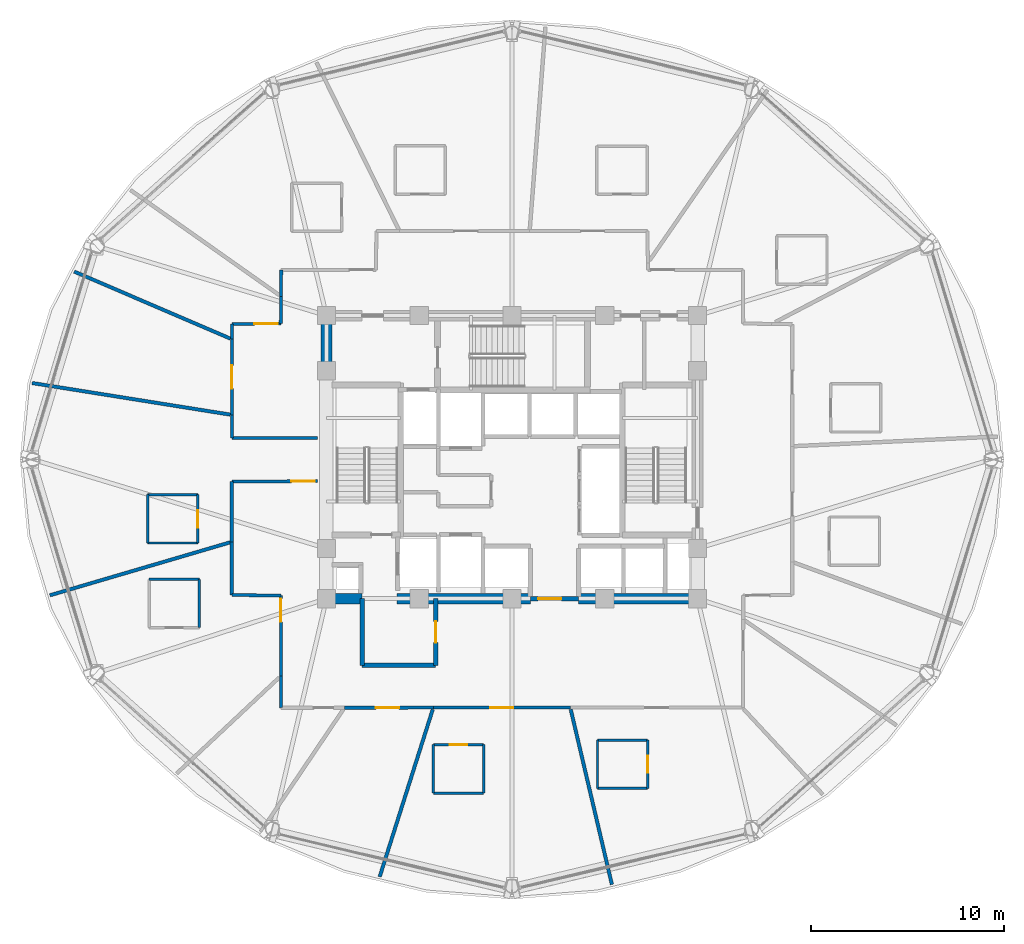
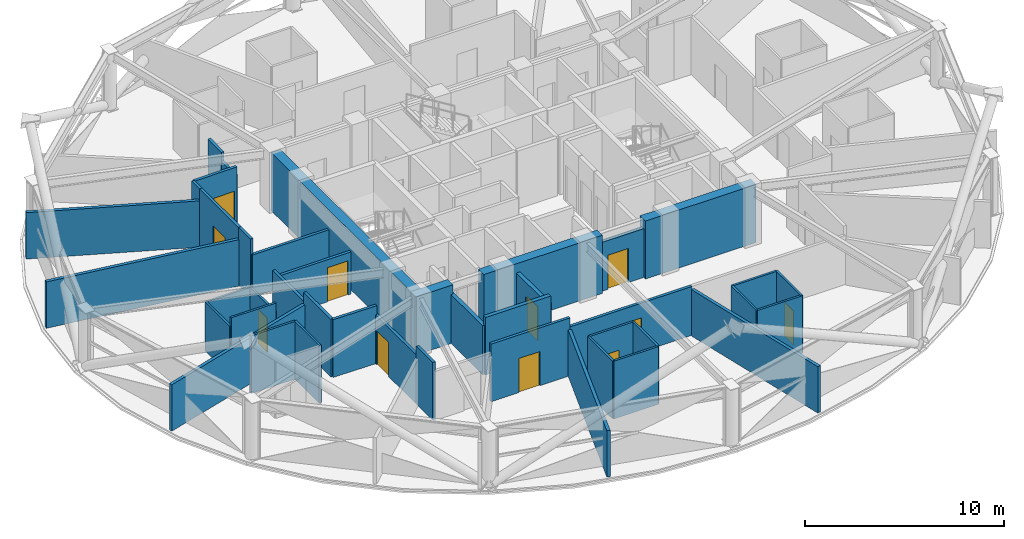
# One storey, part 22 of 29: 42 walls, 11 doors, 11 openings.
"""IFC4 building model written with IfcOpenShell, lengths in metres."""

from ifc_helpers import new_model, si_unit, direction, frame, frame_2d, origin, place, context, subcontext, project, spatial, rectangle, extrude, material, layer, layer_set, type_object, element, fill, save


model = new_model("IFC4")

# Units and contexts
model_context = context("Model", 3, precision=1e-05, world=origin(), true_north=direction((0.0, 1.0)))
body_context = subcontext(model_context, "Body", "Model", "MODEL_VIEW")
ifc_project = project(units=[si_unit("LENGTHUNIT", "METRE"), si_unit("AREAUNIT", "SQUARE_METRE"), si_unit("VOLUMEUNIT", "CUBIC_METRE"), si_unit("PLANEANGLEUNIT", "RADIAN"), si_unit("MASSUNIT", "GRAM", prefix="KILO")], contexts=[model_context])

# Site, building, storey
site_placement = place(None, origin())
site = spatial("IfcSite", under=ifc_project, at=site_placement, CompositionType="ELEMENT")
building_placement = place(site_placement, origin())
building = spatial("IfcBuilding", under=site, at=building_placement, Name="Vantalir Tower", CompositionType="ELEMENT")
storey_placement = place(building_placement, frame((0.0, 0.0, 149.699951171875)))
storey = spatial("IfcBuildingStorey", under=building, at=storey_placement, Name="L37", CompositionType="ELEMENT", Elevation=149.699951171875)

# Walls
ifc_material_1 = material(Name="Moisture-resistant en-suite partition", Category="gypsum")
ifc_layer_1 = layer(ifc_material_1, 0.125)
ifc_layer_set_1 = layer_set([ifc_layer_1], Name="Moisture-resistant en-suite partition")
wall_type_1 = type_object("IfcWallType", Name="WL-BATH-125", PredefinedType="PARTITIONING", material=ifc_layer_set_1)
wall_1_placement = place(storey_placement, frame((12.64892578125, 20.680908203125, 0.0), z_axis=(0.0, 0.0, 1.0), x_axis=(1.0, 0.0, 0.0)))
element("IfcWall", 1, at=wall_1_placement, inside=storey, type_object=wall_type_1, Name="L37 En-suite 08 South Wall", PredefinedType="PARTITIONING", context=body_context, shape_type="SweptSolid", body=[
    extrude(rectangle(XDim=2.60009765625, YDim=0.125, at=frame_2d((1.300048828125, 0.0))), origin(), (0.0, 0.0, 1.0), 3.550048828125),
])
wall_2_placement = place(storey_placement, frame((12.64892578125, 23.180908203125, 0.0), z_axis=(0.0, 0.0, 1.0), x_axis=(1.0, 0.0, 0.0)))
element("IfcWall", 2, at=wall_2_placement, inside=storey, type_object=wall_type_1, Name="L37 En-suite 08 North Wall", PredefinedType="PARTITIONING", context=body_context, shape_type="SweptSolid", body=[
    extrude(rectangle(XDim=2.60009765625, YDim=0.125, at=frame_2d((1.300048828125, 0.0))), origin(), (0.0, 0.0, 1.0), 3.006103515625),
])
wall_3_placement = place(storey_placement, frame((12.64892578125, 20.680908203125, 0.0), z_axis=(0.0, 0.0, 1.0), x_axis=(0.0, 1.0, 0.0)))
element("IfcWall", 3, at=wall_3_placement, inside=storey, type_object=wall_type_1, Name="L37 En-suite 08 West Wall", PredefinedType="PARTITIONING", context=body_context, shape_type="SweptSolid", body=[
    extrude(rectangle(XDim=2.5, YDim=0.125, at=frame_2d((1.25, 0.0))), origin(), (0.0, 0.0, 1.0), 3.006103515625),
])

# Wall, opening, door
wall_4_placement = place(storey_placement, frame((15.2490234375, 20.680908203125, 0.0), z_axis=(0.0, 0.0, 1.0), x_axis=(0.0, 1.0, 0.0)))
wall_4 = element("IfcWall", 4, at=wall_4_placement, inside=storey, type_object=wall_type_1, Name="L37 En-suite 08 East Wall", PredefinedType="PARTITIONING", context=body_context, shape_type="SweptSolid", body=[
    extrude(rectangle(XDim=2.5, YDim=0.125, at=frame_2d((1.25, 0.0))), origin(), (0.0, 0.0, 1.0), 3.006103515625),
])
opening_1_placement = place(wall_4_placement, frame((0.800048828125, 0.0, 0.0)))
opening_1 = element("IfcOpeningElement", 5, at=opening_1_placement, cuts=wall_4, Name="Opening D-WC", PredefinedType="OPENING", context=body_context, shape_type="SweptSolid", body=[
    extrude(rectangle(XDim=0.89990234375, YDim=2.10009765625, at=frame_2d((0.449951171875, 1.050048828125))), frame((0.0, 0.072509765625, 0.0), z_axis=(0.0, -1.0, 0.0), x_axis=(1.0, 0.0, 0.0)), (0.0, 0.0, 1.0), 0.14501953125),
])
ifc_material_2 = material(Name="Moisture-resistant hardwood door", Category="wood")
door_type_1 = type_object("IfcDoorType", Name="DR-ENSUITE-900", OperationType="NOTDEFINED", PredefinedType="DOOR", material=ifc_material_2)
door_1_placement = place(opening_1_placement, origin())
door_1 = element("IfcDoor", 6, at=door_1_placement, inside=storey, type_object=door_type_1, Name="L37 En-suite 08 Door", OperationType="SINGLE_SWING_RIGHT", OverallHeight=2.10009765625, OverallWidth=0.89990234375, PredefinedType="DOOR", context=body_context, shape_type="SweptSolid", body=[
    extrude(rectangle(XDim=0.89990234375, YDim=2.10009765625, at=frame_2d((0.449951171875, 1.050048828125))), frame((0.0, 0.02490234375, 0.0), z_axis=(0.0, -1.0, 0.0), x_axis=(1.0, 0.0, 0.0)), (0.0, 0.0, 1.0), 0.050048828125),
])
fill(opening_1, door_1)

# Walls
wall_5_placement = place(storey_placement, frame((12.72607421875, 18.804931640625, 0.0), z_axis=(0.0, 0.0, 1.0), x_axis=(1.0, 0.0, 0.0)))
element("IfcWall", 7, at=wall_5_placement, inside=storey, type_object=wall_type_1, Name="L37 En-suite 09 North Wall", PredefinedType="PARTITIONING", context=body_context, shape_type="SweptSolid", body=[
    extrude(rectangle(XDim=2.599853515625, YDim=0.125, at=frame_2d((1.2998046875, 0.0))), origin(), (0.0, 0.0, 1.0), 3.550048828125),
])
wall_6_placement = place(storey_placement, frame((15.325927734375, 16.304931640625, 0.0), z_axis=(0.0, 0.0, 1.0), x_axis=(0.0, 1.0, 0.0)))
element("IfcWall", 8, at=wall_6_placement, inside=storey, type_object=wall_type_1, Name="L37 En-suite 09 East Wall", PredefinedType="PARTITIONING", context=body_context, shape_type="SweptSolid", body=[
    extrude(rectangle(XDim=2.5, YDim=0.125, at=frame_2d((1.25, 0.0))), origin(), (0.0, 0.0, 1.0), 3.550048828125),
])
wall_7_placement = place(storey_placement, frame((27.430908203125, 7.742919921875, 0.0), z_axis=(0.0, 0.0, 1.0), x_axis=(1.0, 0.0, 0.0)))
element("IfcWall", 9, at=wall_7_placement, inside=storey, type_object=wall_type_1, Name="L37 En-suite 12 South Wall", PredefinedType="PARTITIONING", context=body_context, shape_type="SweptSolid", body=[
    extrude(rectangle(XDim=2.60009765625, YDim=0.125, at=frame_2d((1.300048828125, 0.0))), origin(), (0.0, 0.0, 1.0), 3.550048828125),
])

# Wall, opening, door
wall_8_placement = place(storey_placement, frame((27.430908203125, 10.242919921875, 0.0), z_axis=(0.0, 0.0, 1.0), x_axis=(1.0, 0.0, 0.0)))
wall_8 = element("IfcWall", 10, at=wall_8_placement, inside=storey, type_object=wall_type_1, Name="L37 En-suite 12 North Wall", PredefinedType="PARTITIONING", context=body_context, shape_type="SweptSolid", body=[
    extrude(rectangle(XDim=2.60009765625, YDim=0.125, at=frame_2d((1.300048828125, 0.0))), origin(), (0.0, 0.0, 1.0), 3.550048828125),
])
opening_2_placement = place(wall_8_placement, frame((0.85009765625, 0.0, 0.0)))
opening_2 = element("IfcOpeningElement", 11, at=opening_2_placement, cuts=wall_8, Name="Opening D-WC", PredefinedType="OPENING", context=body_context, shape_type="SweptSolid", body=[
    extrude(rectangle(XDim=0.89990234375, YDim=2.10009765625, at=frame_2d((0.449951171875, 1.050048828125))), frame((0.0, 0.072509765625, 0.0), z_axis=(0.0, -1.0, 0.0), x_axis=(1.0, 0.0, 0.0)), (0.0, 0.0, 1.0), 0.14501953125),
])
door_2_placement = place(opening_2_placement, frame((0.89990234375, 0.0, 0.0), z_axis=(0.0, 0.0, 1.0), x_axis=(-1.0, 0.0, 0.0)))
door_2 = element("IfcDoor", 12, at=door_2_placement, inside=storey, type_object=door_type_1, Name="L37 En-suite 12 Door", OperationType="SINGLE_SWING_RIGHT", OverallHeight=2.10009765625, OverallWidth=0.89990234375, PredefinedType="DOOR", context=body_context, shape_type="SweptSolid", body=[
    extrude(rectangle(XDim=0.89990234375, YDim=2.10009765625, at=frame_2d((0.449951171875, 1.050048828125))), frame((0.0, 0.02490234375, 0.0), z_axis=(0.0, -1.0, 0.0), x_axis=(1.0, 0.0, 0.0)), (0.0, 0.0, 1.0), 0.050048828125),
])
fill(opening_2, door_2)

# Walls
for number, where, z_axis, x_axis, name in (
    (13, (27.430908203125, 7.742919921875, 0.0), (0.0, 0.0, 1.0), (0.0, 1.0, 0.0), "L37 En-suite 12 West Wall"),
    (14, (30.031005859375, 7.742919921875, 0.0), (0.0, 0.0, 1.0), (0.0, 1.0, 0.0), "L37 En-suite 12 East Wall"),
):
    element("IfcWall", number, at=place(storey_placement, frame(where, z_axis=z_axis, x_axis=x_axis)), inside=storey, type_object=wall_type_1, Name=name, PredefinedType="PARTITIONING", context=body_context, shape_type="SweptSolid", body=[
        extrude(rectangle(XDim=2.5, YDim=0.125, at=frame_2d((1.25, 0.0))), origin(), (0.0, 0.0, 1.0), 3.550048828125),
    ])
for number, where, z_axis, x_axis, name in (
    (15, (35.923095703125, 7.98291015625, 0.0), (0.0, 0.0, 1.0), (1.0, 0.0, 0.0), "L37 En-suite 13 South Wall"),
    (16, (35.923095703125, 10.48291015625, 0.0), (0.0, 0.0, 1.0), (1.0, 0.0, 0.0), "L37 En-suite 13 North Wall"),
):
    element("IfcWall", number, at=place(storey_placement, frame(where, z_axis=z_axis, x_axis=x_axis)), inside=storey, type_object=wall_type_1, Name=name, PredefinedType="PARTITIONING", context=body_context, shape_type="SweptSolid", body=[
        extrude(rectangle(XDim=2.599853515625, YDim=0.125, at=frame_2d((1.2998046875, 0.0))), origin(), (0.0, 0.0, 1.0), 3.550048828125),
    ])
wall_9_placement = place(storey_placement, frame((35.923095703125, 7.98291015625, 0.0), z_axis=(0.0, 0.0, 1.0), x_axis=(0.0, 1.0, 0.0)))
element("IfcWall", 17, at=wall_9_placement, inside=storey, type_object=wall_type_1, Name="L37 En-suite 13 West Wall", PredefinedType="PARTITIONING", context=body_context, shape_type="SweptSolid", body=[
    extrude(rectangle(XDim=2.5, YDim=0.125, at=frame_2d((1.25, 0.0))), origin(), (0.0, 0.0, 1.0), 3.550048828125),
])

# Wall, opening, door
wall_10_placement = place(storey_placement, frame((38.52294921875, 7.98291015625, 0.0), z_axis=(0.0, 0.0, 1.0), x_axis=(0.0, 1.0, 0.0)))
wall_10 = element("IfcWall", 18, at=wall_10_placement, inside=storey, type_object=wall_type_1, Name="L37 En-suite 13 East Wall", PredefinedType="PARTITIONING", context=body_context, shape_type="SweptSolid", body=[
    extrude(rectangle(XDim=2.5, YDim=0.125, at=frame_2d((1.25, 0.0))), origin(), (0.0, 0.0, 1.0), 3.550048828125),
])
opening_3_placement = place(wall_10_placement, frame((0.800048828125, 0.0, 0.0)))
opening_3 = element("IfcOpeningElement", 19, at=opening_3_placement, cuts=wall_10, Name="Opening D-WC", PredefinedType="OPENING", context=body_context, shape_type="SweptSolid", body=[
    extrude(rectangle(XDim=0.89990234375, YDim=2.10009765625, at=frame_2d((0.449951171875, 1.050048828125))), frame((0.0, 0.072509765625, 0.0), z_axis=(0.0, -1.0, 0.0), x_axis=(1.0, 0.0, 0.0)), (0.0, 0.0, 1.0), 0.14501953125),
])
door_3_placement = place(opening_3_placement, origin())
door_3 = element("IfcDoor", 20, at=door_3_placement, inside=storey, type_object=door_type_1, Name="L37 En-suite 13 Door", OperationType="SINGLE_SWING_LEFT", OverallHeight=2.10009765625, OverallWidth=0.89990234375, PredefinedType="DOOR", context=body_context, shape_type="SweptSolid", body=[
    extrude(rectangle(XDim=0.89990234375, YDim=2.10009765625, at=frame_2d((0.449951171875, 1.050048828125))), frame((0.0, 0.02490234375, 0.0), z_axis=(0.0, -1.0, 0.0), x_axis=(1.0, 0.0, 0.0)), (0.0, 0.0, 1.0), 0.050048828125),
])
fill(opening_3, door_3)

# Walls
ifc_material_3 = material(Name="Concrete C60/75", Category="concrete")
ifc_layer_2 = layer(ifc_material_3, 0.550048828125)
ifc_layer_set_2 = layer_set([ifc_layer_2], Name="Concrete C60/75")
wall_type_2 = type_object("IfcWallType", Name="WL-CORE-550", PredefinedType="SHEAR", material=ifc_layer_set_2)
wall_11_placement = place(storey_placement, frame((21.625, 17.800048828125, 0.0), z_axis=(0.0, 0.0, 1.0), x_axis=(1.0, 0.0, 0.0)))
element("IfcWall", 21, at=wall_11_placement, inside=storey, type_object=wall_type_2, Name="L37 Core Shear Wall South-West", PredefinedType="SHEAR", context=body_context, shape_type="SweptSolid", body=[
    extrude(rectangle(XDim=2.125, YDim=0.550048828125, at=frame_2d((1.0625, 0.0))), origin(), (0.0, 0.0, 1.0), 3.570068359375),
])
wall_12_placement = place(storey_placement, frame((25.550048828125, 17.800048828125, 0.0), z_axis=(0.0, 0.0, 1.0), x_axis=(1.0, 0.0, 0.0)))
element("IfcWall", 22, at=wall_12_placement, inside=storey, type_object=wall_type_2, Name="L37 Core Shear Wall South-Mid", PredefinedType="SHEAR", context=body_context, shape_type="SweptSolid", body=[
    extrude(rectangle(XDim=6.89990234375, YDim=0.550048828125, at=frame_2d((3.449951171875, 0.0))), origin(), (0.0, 0.0, 1.0), 3.570068359375),
])
wall_13_placement = place(storey_placement, frame((34.949951171875, 17.800048828125, 0.0), z_axis=(0.0, 0.0, 1.0), x_axis=(1.0, 0.0, 0.0)))
element("IfcWall", 23, at=wall_13_placement, inside=storey, type_object=wall_type_2, Name="L37 Core Shear Wall South-East", PredefinedType="SHEAR", context=body_context, shape_type="SweptSolid", body=[
    extrude(rectangle(XDim=6.425048828125, YDim=0.550048828125, at=frame_2d((3.21240234375, 0.0))), origin(), (0.0, 0.0, 1.0), 3.570068359375),
])
wall_14_placement = place(storey_placement, frame((21.89990234375, 18.074951171875, 0.0), z_axis=(0.0, 0.0, 1.0), x_axis=(0.0, 1.0, 0.0)))
element("IfcWall", 24, at=wall_14_placement, inside=storey, type_object=wall_type_2, Name="L37 Core Shear Wall West", PredefinedType="SHEAR", context=body_context, shape_type="SweptSolid", body=[
    extrude(rectangle(XDim=14.10009765625, YDim=0.550048828125, at=frame_2d((7.050048828125, 0.0))), origin(), (0.0, 0.0, 1.0), 3.570068359375),
])
ifc_material_4 = material(Name="Fire-rated hotel corridor acoustic partition", Category="gypsum")
ifc_layer_3 = layer(ifc_material_4, 0.159912109375)
ifc_layer_set_3 = layer_set([ifc_layer_3], Name="Fire-rated hotel corridor acoustic partition")
wall_type_3 = type_object("IfcWallType", Name="WL-CORR-160", PredefinedType="PARTITIONING", material=ifc_layer_set_3)
wall_15_placement = place(storey_placement, frame((21.445068359375, 26.114990234375, 0.0), z_axis=(0.0, 0.0, 1.0), x_axis=(-0.999997454189, 0.002256460959, 0.0)))
element("IfcWall", 25, at=wall_15_placement, inside=storey, type_object=wall_type_3, Name="L37 Corridor Partition 01", PredefinedType="PARTITIONING", context=body_context, shape_type="SweptSolid", body=[
    extrude(rectangle(XDim=4.43603515625, YDim=0.159912109375, at=frame_2d((2.218017578125, 0.0))), origin(), (0.0, 0.0, 1.0), 2.594970703125),
])
wall_16_placement = place(storey_placement, frame((17.009033203125, 26.125, 0.0), z_axis=(0.0, 0.0, 1.0), x_axis=(-0.00082338383, 0.999999661019, 0.0)))
element("IfcWall", 26, at=wall_16_placement, inside=storey, type_object=wall_type_3, Name="L37 Corridor Partition 02", PredefinedType="PARTITIONING", context=body_context, shape_type="SweptSolid", body=[
    extrude(rectangle(XDim=1.18603515625, YDim=0.159912109375, at=frame_2d((0.593017578125, 0.0))), origin(), (0.0, 0.0, 1.0), 3.550048828125),
])

# Wall, opening, door
wall_17_placement = place(storey_placement, frame((17.008056640625, 27.31103515625, 0.0), z_axis=(0.0, 0.0, 1.0), x_axis=(-0.001309879116, 0.999999142108, 0.0)))
wall_17 = element("IfcWall", 27, at=wall_17_placement, inside=storey, type_object=wall_type_3, Name="L37 Corridor Partition 03", PredefinedType="PARTITIONING", context=body_context, shape_type="SweptSolid", body=[
    extrude(rectangle(XDim=3.9140625, YDim=0.159912109375, at=frame_2d((1.95703125, 0.0))), origin(), (0.0, 0.0, 1.0), 3.550048828125),
])
opening_4_placement = place(wall_17_placement, frame((1.35693359375, 0.0, 0.0)))
opening_4 = element("IfcOpeningElement", 28, at=opening_4_placement, cuts=wall_17, Name="Opening D-STE", PredefinedType="OPENING", context=body_context, shape_type="SweptSolid", body=[
    extrude(rectangle(XDim=1.199951171875, YDim=2.10009765625, at=frame_2d((0.60009765625, 1.050048828125))), frame((0.0, 0.08984375, 0.0), z_axis=(0.0, -1.0, 0.0), x_axis=(1.0, 0.0, 0.0)), (0.0, 0.0, 1.0), 0.179931640625),
])
ifc_material_5 = material(Name="Solid-core teak veneer suite entrance door", Category="wood")
door_type_2 = type_object("IfcDoorType", Name="DR-SUITE-ENTRY-1200", OperationType="NOTDEFINED", PredefinedType="DOOR", material=ifc_material_5)
door_4_placement = place(opening_4_placement, origin())
door_4 = element("IfcDoor", 29, at=door_4_placement, inside=storey, type_object=door_type_2, Name="L37 Club Reading Lounge 07 Door", OperationType="SINGLE_SWING_RIGHT", OverallHeight=2.10009765625, OverallWidth=1.199951171875, PredefinedType="DOOR", context=body_context, shape_type="SweptSolid", body=[
    extrude(rectangle(XDim=1.199951171875, YDim=2.10009765625, at=frame_2d((0.60009765625, 1.050048828125))), frame((0.0, 0.02490234375, 0.0), z_axis=(0.0, -1.0, 0.0), x_axis=(1.0, 0.0, 0.0)), (0.0, 0.0, 1.0), 0.050048828125),
])
fill(opening_4, door_4)

# Wall
wall_18_placement = place(storey_placement, frame((17.0029296875, 31.22509765625, 0.0), z_axis=(0.0, 0.0, 1.0), x_axis=(-0.001241078784, 0.999999229861, 0.0)))
element("IfcWall", 30, at=wall_18_placement, inside=storey, type_object=wall_type_3, Name="L37 Corridor Partition 04", PredefinedType="PARTITIONING", context=body_context, shape_type="SweptSolid", body=[
    extrude(rectangle(XDim=0.786865234375, YDim=0.159912109375, at=frame_2d((0.3935546875, 0.0))), origin(), (0.0, 0.0, 1.0), 3.550048828125),
])

# Wall, opening, door
wall_19_placement = place(storey_placement, frame((17.001953125, 32.011962890625, 0.0), z_axis=(0.0, 0.0, 1.0), x_axis=(0.999938574393, 0.011083656487, 0.0)))
wall_19 = element("IfcWall", 31, at=wall_19_placement, inside=storey, type_object=wall_type_3, Name="L37 Corridor Partition 05", PredefinedType="PARTITIONING", context=body_context, shape_type="SweptSolid", body=[
    extrude(rectangle(XDim=2.533203125, YDim=0.159912109375, at=frame_2d((1.2666015625, 0.0))), origin(), (0.0, 0.0, 1.0), 3.550048828125),
])
opening_5_placement = place(wall_19_placement, frame((1.173095703125, 0.0, 0.0)))
opening_5 = element("IfcOpeningElement", 32, at=opening_5_placement, cuts=wall_19, Name="Opening D-STE", PredefinedType="OPENING", context=body_context, shape_type="SweptSolid", body=[
    extrude(rectangle(XDim=1.199951171875, YDim=2.10009765625, at=frame_2d((0.60009765625, 1.050048828125))), frame((0.0, 0.08984375, 0.0), z_axis=(0.0, -1.0, 0.0), x_axis=(1.0, 0.0, 0.0)), (0.0, 0.0, 1.0), 0.179931640625),
])
door_5_placement = place(opening_5_placement, origin())
door_5 = element("IfcDoor", 33, at=door_5_placement, inside=storey, type_object=door_type_2, Name="L37 Executive Business Study 06 Door", OperationType="SINGLE_SWING_LEFT", OverallHeight=2.10009765625, OverallWidth=1.199951171875, PredefinedType="DOOR", context=body_context, shape_type="SweptSolid", body=[
    extrude(rectangle(XDim=1.199951171875, YDim=2.10009765625, at=frame_2d((0.60009765625, 1.050048828125))), frame((0.0, 0.02490234375, 0.0), z_axis=(0.0, -1.0, 0.0), x_axis=(1.0, 0.0, 0.0)), (0.0, 0.0, 1.0), 0.050048828125),
])
fill(opening_5, door_5)

# Walls
wall_20_placement = place(storey_placement, frame((19.534912109375, 32.0400390625, 0.0), z_axis=(0.0, 0.0, 1.0), x_axis=(0.009389257464, 0.999955919951, 0.0)))
element("IfcWall", 34, at=wall_20_placement, inside=storey, type_object=wall_type_3, Name="L37 Corridor Partition 06", PredefinedType="PARTITIONING", context=body_context, shape_type="SweptSolid", body=[
    extrude(rectangle(XDim=1.404052734375, YDim=0.159912109375, at=frame_2d((0.7021484375, 0.0))), origin(), (0.0, 0.0, 1.0), 3.006103515625),
])
wall_21_placement = place(storey_placement, frame((19.548095703125, 33.444091796875, 0.0), z_axis=(0.0, 0.0, 1.0), x_axis=(0.008744980606, 0.999961761926, 0.0)))
element("IfcWall", 35, at=wall_21_placement, inside=storey, type_object=wall_type_3, Name="L37 Corridor Partition 07", PredefinedType="PARTITIONING", context=body_context, shape_type="SweptSolid", body=[
    extrude(rectangle(XDim=1.367919921875, YDim=0.159912109375, at=frame_2d((0.68408203125, 0.0))), origin(), (0.0, 0.0, 1.0), 3.550048828125),
])

# Wall, opening, door
wall_22_placement = place(storey_placement, frame((34.51806640625, 12.1640625, 0.0), z_axis=(0.0, 0.0, 1.0), x_axis=(-0.999999828666, -0.000585379191, 0.0)))
wall_22 = element("IfcWall", 36, at=wall_22_placement, inside=storey, type_object=wall_type_3, Name="L37 Corridor Partition 26", PredefinedType="PARTITIONING", context=body_context, shape_type="SweptSolid", body=[
    extrude(rectangle(XDim=7.090087890625, YDim=0.159912109375, at=frame_2d((3.544921875, 0.0))), origin(), (0.0, 0.0, 1.0), 3.006103515625),
])
opening_6_placement = place(wall_22_placement, frame((2.945068359375, 0.0, 0.0)))
opening_6 = element("IfcOpeningElement", 37, at=opening_6_placement, cuts=wall_22, Name="Opening D-STE", PredefinedType="OPENING", context=body_context, shape_type="SweptSolid", body=[
    extrude(rectangle(XDim=1.199951171875, YDim=2.10009765625, at=frame_2d((0.60009765625, 1.050048828125))), frame((0.0, 0.08984375, 0.0), z_axis=(0.0, -1.0, 0.0), x_axis=(1.0, 0.0, 0.0)), (0.0, 0.0, 1.0), 0.179931640625),
])
door_6_placement = place(opening_6_placement, origin())
door_6 = element("IfcDoor", 38, at=door_6_placement, inside=storey, type_object=door_type_2, Name="L37 Executive Club Hotel Suite 12 Door", OperationType="SINGLE_SWING_LEFT", OverallHeight=2.10009765625, OverallWidth=1.199951171875, PredefinedType="DOOR", context=body_context, shape_type="SweptSolid", body=[
    extrude(rectangle(XDim=1.199951171875, YDim=2.10009765625, at=frame_2d((0.60009765625, 1.050048828125))), frame((0.0, 0.02490234375, 0.0), z_axis=(0.0, -1.0, 0.0), x_axis=(1.0, 0.0, 0.0)), (0.0, 0.0, 1.0), 0.050048828125),
])
fill(opening_6, door_6)

wall_23_placement = place(storey_placement, frame((27.427978515625, 12.159912109375, 0.0), z_axis=(0.0, 0.0, 1.0), x_axis=(-0.99999990974, -0.000424876482, 0.0)))
wall_23 = element("IfcWall", 39, at=wall_23_placement, inside=storey, type_object=wall_type_3, Name="L37 Corridor Partition 27", PredefinedType="PARTITIONING", context=body_context, shape_type="SweptSolid", body=[
    extrude(rectangle(XDim=4.596923828125, YDim=0.159912109375, at=frame_2d((2.29833984375, 0.0))), origin(), (0.0, 0.0, 1.0), 3.550048828125),
])
opening_7_placement = place(wall_23_placement, frame((1.77197265625, 0.0, 0.0)))
opening_7 = element("IfcOpeningElement", 40, at=opening_7_placement, cuts=wall_23, Name="Opening D-STE", PredefinedType="OPENING", context=body_context, shape_type="SweptSolid", body=[
    extrude(rectangle(XDim=1.199951171875, YDim=2.10009765625, at=frame_2d((0.60009765625, 1.050048828125))), frame((0.0, 0.08984375, 0.0), z_axis=(0.0, -1.0, 0.0), x_axis=(1.0, 0.0, 0.0)), (0.0, 0.0, 1.0), 0.179931640625),
])
door_7_placement = place(opening_7_placement, origin())
door_7 = element("IfcDoor", 41, at=door_7_placement, inside=storey, type_object=door_type_2, Name="L37 Club Reading Lounge 11 Door", OperationType="SINGLE_SWING_RIGHT", OverallHeight=2.10009765625, OverallWidth=1.199951171875, PredefinedType="DOOR", context=body_context, shape_type="SweptSolid", body=[
    extrude(rectangle(XDim=1.199951171875, YDim=2.10009765625, at=frame_2d((0.60009765625, 1.050048828125))), frame((0.0, 0.02490234375, 0.0), z_axis=(0.0, -1.0, 0.0), x_axis=(1.0, 0.0, 0.0)), (0.0, 0.0, 1.0), 0.050048828125),
])
fill(opening_7, door_7)

# Wall
wall_24_placement = place(storey_placement, frame((19.552978515625, 12.156982421875, 0.0), z_axis=(0.0, 0.0, 1.0), x_axis=(-0.002955506524, 0.999995632481, 0.0)))
element("IfcWall", 42, at=wall_24_placement, inside=storey, type_object=wall_type_3, Name="L37 Corridor Partition 29", PredefinedType="PARTITIONING", context=body_context, shape_type="SweptSolid", body=[
    extrude(rectangle(XDim=1.652099609375, YDim=0.159912109375, at=frame_2d((0.826171875, 0.0))), origin(), (0.0, 0.0, 1.0), 3.550048828125),
])

# Wall, opening, door
wall_25_placement = place(storey_placement, frame((19.548095703125, 13.80908203125, 0.0), z_axis=(0.0, 0.0, 1.0), x_axis=(-0.00317608091, 0.999994956242, 0.0)))
wall_25 = element("IfcWall", 43, at=wall_25_placement, inside=storey, type_object=wall_type_3, Name="L37 Corridor Partition 30", PredefinedType="PARTITIONING", context=body_context, shape_type="SweptSolid", body=[
    extrude(rectangle(XDim=4.15087890625, YDim=0.159912109375, at=frame_2d((2.075439453125, 0.0))), origin(), (0.0, 0.0, 1.0), 3.006103515625),
])
opening_8_placement = place(wall_25_placement, frame((2.791015625, 0.0, 0.0)))
opening_8 = element("IfcOpeningElement", 44, at=opening_8_placement, cuts=wall_25, Name="Opening D-STE", PredefinedType="OPENING", context=body_context, shape_type="SweptSolid", body=[
    extrude(rectangle(XDim=1.199951171875, YDim=2.10009765625, at=frame_2d((0.60009765625, 1.050048828125))), frame((0.0, 0.08984375, 0.0), z_axis=(0.0, -1.0, 0.0), x_axis=(1.0, 0.0, 0.0)), (0.0, 0.0, 1.0), 0.179931640625),
])
door_8_placement = place(opening_8_placement, origin())
door_8 = element("IfcDoor", 45, at=door_8_placement, inside=storey, type_object=door_type_2, Name="L37 Executive Club Hotel Suite 09 Door", OperationType="SINGLE_SWING_RIGHT", OverallHeight=2.10009765625, OverallWidth=1.199951171875, PredefinedType="DOOR", context=body_context, shape_type="SweptSolid", body=[
    extrude(rectangle(XDim=1.199951171875, YDim=2.10009765625, at=frame_2d((0.60009765625, 1.050048828125))), frame((0.0, 0.02490234375, 0.0), z_axis=(0.0, -1.0, 0.0), x_axis=(1.0, 0.0, 0.0)), (0.0, 0.0, 1.0), 0.050048828125),
])
fill(opening_8, door_8)

# Walls
wall_26_placement = place(storey_placement, frame((19.534912109375, 17.9599609375, 0.0), z_axis=(0.0, 0.0, 1.0), x_axis=(-0.999920356619, 0.01262063462, 0.0)))
element("IfcWall", 46, at=wall_26_placement, inside=storey, type_object=wall_type_3, Name="L37 Corridor Partition 31", PredefinedType="PARTITIONING", context=body_context, shape_type="SweptSolid", body=[
    extrude(rectangle(XDim=2.5341796875, YDim=0.159912109375, at=frame_2d((1.26708984375, 0.0))), origin(), (0.0, 0.0, 1.0), 3.550048828125),
])
wall_27_placement = place(storey_placement, frame((17.0009765625, 17.991943359375, 0.0), z_axis=(0.0, 0.0, 1.0), x_axis=(0.0, 1.0, 0.0)))
element("IfcWall", 47, at=wall_27_placement, inside=storey, type_object=wall_type_3, Name="L37 Corridor Partition 32", PredefinedType="PARTITIONING", context=body_context, shape_type="SweptSolid", body=[
    extrude(rectangle(XDim=2.748046875, YDim=0.159912109375, at=frame_2d((1.3740234375, 0.0))), origin(), (0.0, 0.0, 1.0), 3.550048828125),
])
wall_28_placement = place(storey_placement, frame((17.0009765625, 20.739990234375, 0.0), z_axis=(0.0, 0.0, 1.0), x_axis=(0.0, 1.0, 0.0)))
element("IfcWall", 48, at=wall_28_placement, inside=storey, type_object=wall_type_3, Name="L37 Corridor Partition 33", PredefinedType="PARTITIONING", context=body_context, shape_type="SweptSolid", body=[
    extrude(rectangle(XDim=3.117919921875, YDim=0.159912109375, at=frame_2d((1.55908203125, 0.0))), origin(), (0.0, 0.0, 1.0), 3.006103515625),
])

# Wall, opening, door
wall_29_placement = place(storey_placement, frame((17.0009765625, 23.85791015625, 0.0), z_axis=(0.0, 0.0, 1.0), x_axis=(0.999982724113, 0.005878050403, 0.0)))
wall_29 = element("IfcWall", 49, at=wall_29_placement, inside=storey, type_object=wall_type_3, Name="L37 Corridor Partition 34", PredefinedType="PARTITIONING", context=body_context, shape_type="SweptSolid", body=[
    extrude(rectangle(XDim=4.444091796875, YDim=0.159912109375, at=frame_2d((2.22216796875, 0.0))), origin(), (0.0, 0.0, 1.0), 2.594970703125),
])
opening_9_placement = place(wall_29_placement, frame((3.083984375, 0.0, 0.0)))
opening_9 = element("IfcOpeningElement", 50, at=opening_9_placement, cuts=wall_29, Name="Opening D-STE", PredefinedType="OPENING", context=body_context, shape_type="SweptSolid", body=[
    extrude(rectangle(XDim=1.199951171875, YDim=2.10009765625, at=frame_2d((0.60009765625, 1.050048828125))), frame((0.0, 0.08984375, 0.0), z_axis=(0.0, -1.0, 0.0), x_axis=(1.0, 0.0, 0.0)), (0.0, 0.0, 1.0), 0.179931640625),
])
door_9_placement = place(opening_9_placement, origin())
door_9 = element("IfcDoor", 51, at=door_9_placement, inside=storey, type_object=door_type_2, Name="L37 Corner Panorama Hotel Suite 08 Door", OperationType="SINGLE_SWING_LEFT", OverallHeight=2.10009765625, OverallWidth=1.199951171875, PredefinedType="DOOR", context=body_context, shape_type="SweptSolid", body=[
    extrude(rectangle(XDim=1.199951171875, YDim=2.10009765625, at=frame_2d((0.60009765625, 1.050048828125))), frame((0.0, 0.02490234375, 0.0), z_axis=(0.0, -1.0, 0.0), x_axis=(1.0, 0.0, 0.0)), (0.0, 0.0, 1.0), 0.050048828125),
])
fill(opening_9, door_9)

ifc_material_6 = material(Name="Concrete blockwork with fireboard lining", Category="masonry")
ifc_layer_4 = layer(ifc_material_6, 0.219970703125)
ifc_layer_set_4 = layer_set([ifc_layer_4], Name="Concrete blockwork with fireboard lining")
wall_type_4 = type_object("IfcWallType", Name="WL-FFL-220", PredefinedType="PARTITIONING", material=ifc_layer_set_4)
wall_30_placement = place(storey_placement, frame((32.449951171875, 17.800048828125, 0.0), z_axis=(0.0, 0.0, 1.0), x_axis=(1.0, 0.0, 0.0)))
wall_30 = element("IfcWall", 52, at=wall_30_placement, inside=storey, type_object=wall_type_4, Name="L37 Passenger Lift Lobby South Wall", PredefinedType="PARTITIONING", context=body_context, shape_type="SweptSolid", body=[
    extrude(rectangle(XDim=2.5, YDim=0.219970703125, at=frame_2d((1.25, 0.0))), origin(), (0.0, 0.0, 1.0), 3.006103515625),
])
opening_10_placement = place(wall_30_placement, frame((0.39990234375, 0.0, 0.0)))
opening_10 = element("IfcOpeningElement", 53, at=opening_10_placement, cuts=wall_30, Name="Opening D-STE", PredefinedType="OPENING", context=body_context, shape_type="SweptSolid", body=[
    extrude(rectangle(XDim=1.199951171875, YDim=2.10009765625, at=frame_2d((0.60009765625, 1.050048828125))), frame((0.0, 0.119873046875, 0.0), z_axis=(0.0, -1.0, 0.0), x_axis=(1.0, 0.0, 0.0)), (0.0, 0.0, 1.0), 0.239990234375),
])
door_10_placement = place(opening_10_placement, origin())
door_10 = element("IfcDoor", 54, at=door_10_placement, inside=storey, type_object=door_type_2, Name="L37 Passenger Lift Lobby Concourse Door", OperationType="SINGLE_SWING_RIGHT", OverallHeight=2.10009765625, OverallWidth=1.199951171875, PredefinedType="DOOR", context=body_context, shape_type="SweptSolid", body=[
    extrude(rectangle(XDim=1.199951171875, YDim=2.10009765625, at=frame_2d((0.60009765625, 1.050048828125))), frame((0.0, 0.02490234375, 0.0), z_axis=(0.0, -1.0, 0.0), x_axis=(1.0, 0.0, 0.0)), (0.0, 0.0, 1.0), 0.050048828125),
])
fill(opening_10, door_10)

# Walls
wall_31_placement = place(storey_placement, frame((23.75, 14.35009765625, 0.0), z_axis=(0.0, 0.0, 1.0), x_axis=(0.0, 1.0, 0.0)))
element("IfcWall", 55, at=wall_31_placement, inside=storey, type_object=wall_type_4, Name="L37 Firefighting Lobby West Outer W", PredefinedType="PARTITIONING", context=body_context, shape_type="SweptSolid", body=[
    extrude(rectangle(XDim=3.449951171875, YDim=0.219970703125, at=frame_2d((1.72509765625, 0.0))), origin(), (0.0, 0.0, 1.0), 3.006103515625),
])
wall_32_placement = place(storey_placement, frame((23.75, 14.35009765625, 0.0), z_axis=(0.0, 0.0, 1.0), x_axis=(1.0, 0.0, 0.0)))
element("IfcWall", 56, at=wall_32_placement, inside=storey, type_object=wall_type_4, Name="L37 Firefighting Lobby West South Wall", PredefinedType="PARTITIONING", context=body_context, shape_type="SweptSolid", body=[
    extrude(rectangle(XDim=3.800048828125, YDim=0.219970703125, at=frame_2d((1.89990234375, 0.0))), origin(), (0.0, 0.0, 1.0), 3.550048828125),
])

# Wall, opening, door
wall_33_placement = place(storey_placement, frame((27.550048828125, 14.35009765625, 0.0), z_axis=(0.0, 0.0, 1.0), x_axis=(0.0, 1.0, 0.0)))
wall_33 = element("IfcWall", 57, at=wall_33_placement, inside=storey, type_object=wall_type_4, Name="L37 Firefighting Lobby West East Wall", PredefinedType="PARTITIONING", context=body_context, shape_type="SweptSolid", body=[
    extrude(rectangle(XDim=3.449951171875, YDim=0.219970703125, at=frame_2d((1.72509765625, 0.0))), origin(), (0.0, 0.0, 1.0), 3.006103515625),
])
opening_11_placement = place(wall_33_placement, frame((1.175048828125, 0.0, 0.0)))
opening_11 = element("IfcOpeningElement", 58, at=opening_11_placement, cuts=wall_33, Name="Opening D-FFL", PredefinedType="OPENING", context=body_context, shape_type="SweptSolid", body=[
    extrude(rectangle(XDim=1.10009765625, YDim=2.10009765625, at=frame_2d((0.550048828125, 1.050048828125))), frame((0.0, 0.119873046875, 0.0), z_axis=(0.0, -1.0, 0.0), x_axis=(1.0, 0.0, 0.0)), (0.0, 0.0, 1.0), 0.239990234375),
])
ifc_material_7 = material(Name="Fire-rated acoustic steel door", Category="steel")
door_type_3 = type_object("IfcDoorType", Name="DR-FIRE-LOBBY-1100", OperationType="NOTDEFINED", PredefinedType="DOOR", material=ifc_material_7)
door_11_placement = place(opening_11_placement, origin())
door_11 = element("IfcDoor", 59, at=door_11_placement, inside=storey, type_object=door_type_3, Name="L37 Firefighting Lobby West Access Door", OperationType="SINGLE_SWING_RIGHT", OverallHeight=2.10009765625, OverallWidth=1.10009765625, PredefinedType="DOOR", context=body_context, shape_type="SweptSolid", body=[
    extrude(rectangle(XDim=1.10009765625, YDim=2.10009765625, at=frame_2d((0.550048828125, 1.050048828125))), frame((0.0, 0.02490234375, 0.0), z_axis=(0.0, -1.0, 0.0), x_axis=(1.0, 0.0, 0.0)), (0.0, 0.0, 1.0), 0.050048828125),
])
fill(opening_11, door_11)

# Walls
ifc_material_8 = material(Name="Twin-stud acoustic fire-rated gypsum partition", Category="gypsum")
ifc_layer_5 = layer(ifc_material_8, 0.179931640625)
ifc_layer_set_5 = layer_set([ifc_layer_5], Name="Twin-stud acoustic fire-rated gypsum partition")
wall_type_5 = type_object("IfcWallType", Name="WL-GUEST-180", PredefinedType="PARTITIONING", material=ifc_layer_set_5)
wall_34_placement = place(storey_placement, frame((16.925048828125, 31.258056640625, 0.0), z_axis=(0.0, 0.0, 1.0), x_axis=(-0.918899218309, 0.394492365694, 0.0)))
element("IfcWall", 60, at=wall_34_placement, inside=storey, type_object=wall_type_5, Name="L37 Radial Suite Partition 07", PredefinedType="PARTITIONING", context=body_context, shape_type="SweptSolid", body=[
    extrude(rectangle(XDim=8.791015625, YDim=0.179931640625, at=frame_2d((4.3955078125, 0.0))), origin(), (0.0, 0.0, 1.0), 2.85205078125),
])
wall_35_placement = place(storey_placement, frame((16.925048828125, 27.323974609375, 0.0), z_axis=(0.0, 0.0, 1.0), x_axis=(-0.987522476436, 0.157478120811, 0.0)))
element("IfcWall", 61, at=wall_35_placement, inside=storey, type_object=wall_type_5, Name="L37 Radial Suite Partition 08", PredefinedType="PARTITIONING", context=body_context, shape_type="SweptSolid", body=[
    extrude(rectangle(XDim=10.388671875, YDim=0.179931640625, at=frame_2d((5.1943359375, 0.0))), origin(), (0.0, 0.0, 1.0), 2.85205078125),
])
wall_36_placement = place(storey_placement, frame((16.925048828125, 20.718017578125, 0.0), z_axis=(0.0, 0.0, 1.0), x_axis=(-0.959446138816, -0.2818920125, 0.0)))
element("IfcWall", 62, at=wall_36_placement, inside=storey, type_object=wall_type_5, Name="L37 Radial Suite Partition 09", PredefinedType="PARTITIONING", context=body_context, shape_type="SweptSolid", body=[
    extrude(rectangle(XDim=9.73388671875, YDim=0.179931640625, at=frame_2d((4.866943359375, 0.0))), origin(), (0.0, 0.0, 1.0), 2.85205078125),
])
wall_37_placement = place(storey_placement, frame((27.40087890625, 12.074951171875, 0.0), z_axis=(0.0, 0.0, 1.0), x_axis=(-0.302281968235, -0.953218553995, 0.0)))
element("IfcWall", 63, at=wall_37_placement, inside=storey, type_object=wall_type_5, Name="L37 Radial Suite Partition 12", PredefinedType="PARTITIONING", context=body_context, shape_type="SweptSolid", body=[
    extrude(rectangle(XDim=9.0869140625, YDim=0.179931640625, at=frame_2d((4.54345703125, 0.0))), origin(), (0.0, 0.0, 1.0), 2.85205078125),
])
wall_38_placement = place(storey_placement, frame((34.5380859375, 12.074951171875, 0.0), z_axis=(0.0, 0.0, 1.0), x_axis=(0.228875629266, -0.973455672503, 0.0)))
element("IfcWall", 64, at=wall_38_placement, inside=storey, type_object=wall_type_5, Name="L37 Radial Suite Partition 13", PredefinedType="PARTITIONING", context=body_context, shape_type="SweptSolid", body=[
    extrude(rectangle(XDim=9.31005859375, YDim=0.179931640625, at=frame_2d((4.655029296875, 0.0))), origin(), (0.0, 0.0, 1.0), 2.85205078125),
])

save(model, "model.ifc")
